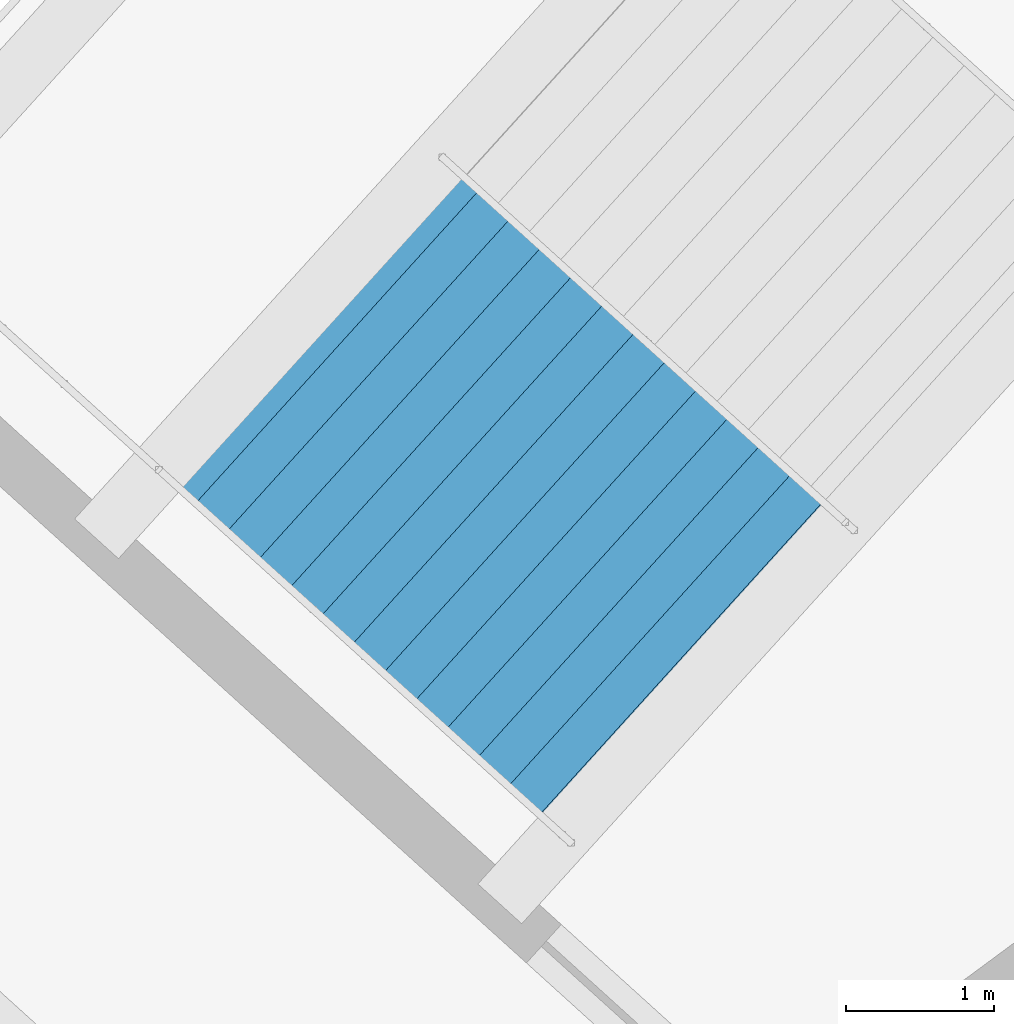
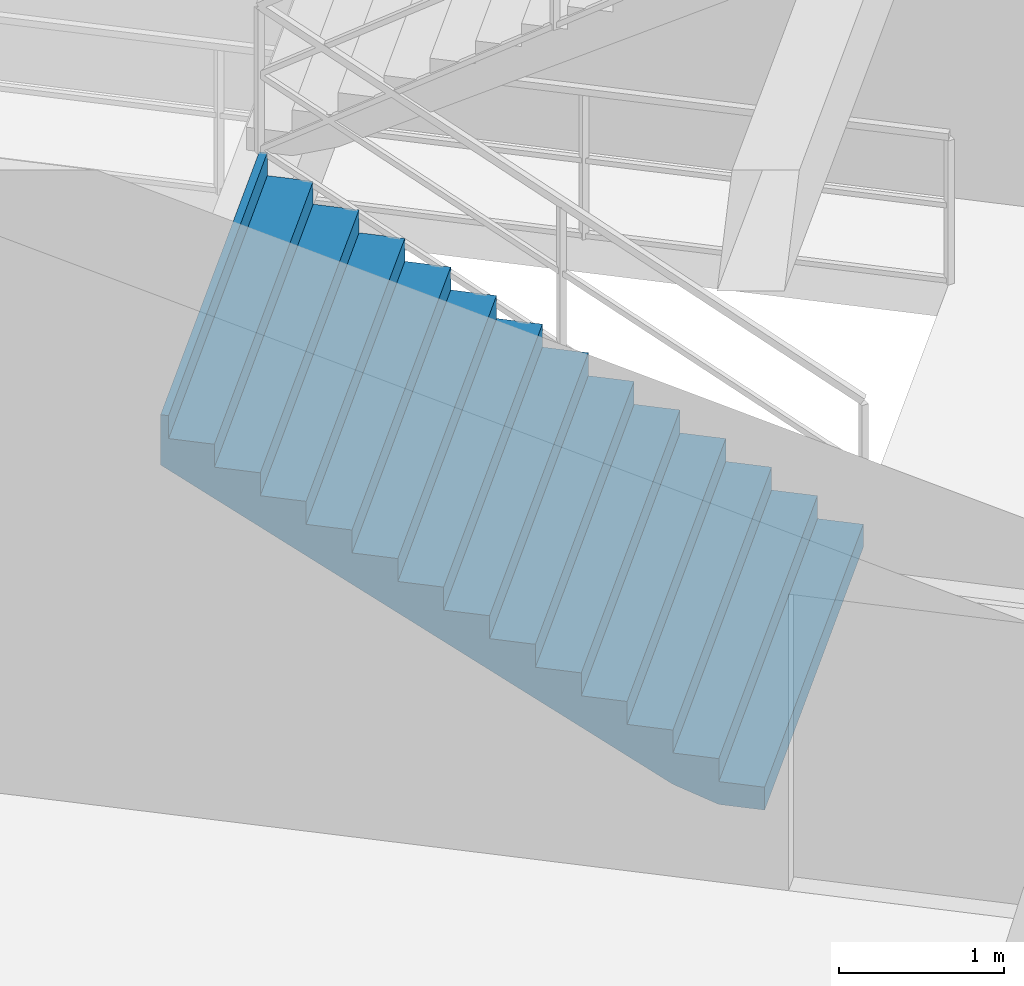
# One storey, part 160 of 171: 1 stair flight, 1 element without a shape of its own.
"""IFC4 building model written with IfcOpenShell, lengths in metres."""

from ifc_helpers import new_model, si_unit, direction, frame, origin, place, context, subcontext, project, spatial, polygons, material, type_object, element, aggregate, save


model = new_model("IFC4")

# Units and contexts
model_context = context("Model", 3, precision=1e-05, world=origin(), true_north=direction((0.0, 1.0)))
body_context = subcontext(model_context, "Body", "Model", "MODEL_VIEW")
ifc_project = project(units=[si_unit("LENGTHUNIT", "METRE"), si_unit("AREAUNIT", "SQUARE_METRE"), si_unit("VOLUMEUNIT", "CUBIC_METRE"), si_unit("PLANEANGLEUNIT", "RADIAN"), si_unit("MASSUNIT", "GRAM", prefix="KILO")], contexts=[model_context])

# Site, building, storey
site_placement = place(None, origin())
site = spatial("IfcSite", under=ifc_project, at=site_placement, CompositionType="ELEMENT")
building_placement = place(site_placement, origin())
building = spatial("IfcBuilding", under=site, at=building_placement, Name="Kazemori Nagisa Stadium", CompositionType="ELEMENT")
storey_placement = place(building_placement, frame((0.0, 0.0, 15.639892578125)))
storey = spatial("IfcBuildingStorey", under=building, at=storey_placement, Name="L03", CompositionType="ELEMENT", Elevation=15.639892578125)

# Stair, stair flight
ifc_material = material(Name="Concrete C36/45 (Fc36)", Category="concrete")
stair_type = type_object("IfcStairType", Name="Stair_CORE_28", PredefinedType="TWO_STRAIGHT_RUN_STAIR", material=ifc_material)
stair_placement = place(storey_placement, origin())
stair = element("IfcStair", 1, at=stair_placement, inside=storey, type_object=stair_type, Name="Exit stair ST01 L03", PredefinedType="TWO_STRAIGHT_RUN_STAIR")
stair_flight_type = type_object("IfcStairFlightType", Name="Flight_CORE_14", PredefinedType="STRAIGHT", material=ifc_material)
stair_flight_placement = place(storey_placement, frame((191.89208984375, 156.3369140625, 0.0), z_axis=(0.0, 0.0, 1.0), x_axis=(-0.741354671431, 0.67111344134, 0.0)))
stair_flight = element("IfcStairFlight", 2, at=stair_flight_placement, type_object=stair_flight_type, Name="Exit stair ST01 L03 flight 1", NumberOfRisers=14, NumberOfTreads=13, PredefinedType="STRAIGHT", RiserHeight=0.17, TreadLength=0.285, context=body_context, shape_type="Tessellation", body=[
    polygons([(0.0, -1.425048828125, 0.0), (0.0, -1.425048828125, 0.169921875), (0.284912109375, -1.425048828125, 0.169921875), (0.284912109375, -1.425048828125, 0.340087890625), (0.570068359375, -1.425048828125, 0.340087890625), (0.570068359375, -1.425048828125, 0.510009765625), (0.85498046875, -1.425048828125, 0.510009765625), (0.85498046875, -1.425048828125, 0.679931640625), (1.139892578125, -1.425048828125, 0.679931640625), (1.139892578125, -1.425048828125, 0.85009765625), (1.425048828125, -1.425048828125, 0.85009765625), (1.425048828125, -1.425048828125, 1.02001953125), (1.7099609375, -1.425048828125, 1.02001953125), (1.7099609375, -1.425048828125, 1.18994140625), (1.9951171875, -1.425048828125, 1.18994140625), (1.9951171875, -1.425048828125, 1.360107421875), (2.280029296875, -1.425048828125, 1.360107421875), (2.280029296875, -1.425048828125, 1.530029296875), (2.56494140625, -1.425048828125, 1.530029296875), (2.56494140625, -1.425048828125, 1.699951171875), (2.85009765625, -1.425048828125, 1.699951171875), (2.85009765625, -1.425048828125, 1.8701171875), (3.135009765625, -1.425048828125, 1.8701171875), (3.135009765625, -1.425048828125, 2.0400390625), (3.419921875, -1.425048828125, 2.0400390625), (3.419921875, -1.425048828125, 2.2099609375), (3.705078125, -1.425048828125, 2.2099609375), (3.705078125, -1.425048828125, 2.3798828125), (3.7548828125, -1.425048828125, 2.3798828125), (3.7548828125, -1.425048828125, 2.007080078125), (3.705078125, -1.425048828125, 1.977294921875), (3.419921875, -1.425048828125, 1.80712890625), (3.135009765625, -1.425048828125, 1.63720703125), (2.85009765625, -1.425048828125, 1.46728515625), (2.56494140625, -1.425048828125, 1.297119140625), (2.280029296875, -1.425048828125, 1.127197265625), (1.9951171875, -1.425048828125, 0.957275390625), (1.7099609375, -1.425048828125, 0.787109375), (1.425048828125, -1.425048828125, 0.6171875), (1.139892578125, -1.425048828125, 0.447265625), (0.85498046875, -1.425048828125, 0.277099609375), (0.570068359375, -1.425048828125, 0.107177734375), (0.284912109375, -1.425048828125, 0.0), (0.0, -0.08544921875, 0.0), (0.0, -0.08544921875, 0.169921875), (0.284912109375, -0.08544921875, 0.169921875), (0.284912109375, -0.08544921875, 0.340087890625), (0.570068359375, -0.08544921875, 0.340087890625), (0.570068359375, -0.08544921875, 0.510009765625), (0.85498046875, -0.08544921875, 0.510009765625), (0.85498046875, -0.08544921875, 0.679931640625), (1.139892578125, -0.08544921875, 0.679931640625), (1.139892578125, -0.08544921875, 0.85009765625), (1.425048828125, -0.08544921875, 0.85009765625), (1.425048828125, -0.08544921875, 1.02001953125), (1.7099609375, -0.08544921875, 1.02001953125), (1.7099609375, -0.08544921875, 1.18994140625), (1.9951171875, -0.08544921875, 1.18994140625), (1.9951171875, -0.08544921875, 1.360107421875), (2.280029296875, -0.08544921875, 1.360107421875), (2.280029296875, -0.08544921875, 1.530029296875), (2.56494140625, -0.08544921875, 1.530029296875), (2.56494140625, -0.08544921875, 1.699951171875), (2.85009765625, -0.08544921875, 1.699951171875), (2.85009765625, -0.08544921875, 1.8701171875), (3.135009765625, -0.08544921875, 1.8701171875), (3.135009765625, -0.08544921875, 2.0400390625), (3.419921875, -0.08544921875, 2.0400390625), (3.419921875, -0.08544921875, 2.2099609375), (3.705078125, -0.08544921875, 2.2099609375), (3.705078125, -0.08544921875, 2.3798828125), (3.7548828125, -0.08544921875, 2.3798828125), (3.7548828125, -0.08544921875, 2.007080078125), (3.705078125, -0.08544921875, 1.977294921875), (3.419921875, -0.08544921875, 1.80712890625), (3.135009765625, -0.08544921875, 1.63720703125), (2.85009765625, -0.08544921875, 1.46728515625), (2.56494140625, -0.08544921875, 1.297119140625), (2.280029296875, -0.08544921875, 1.127197265625), (1.9951171875, -0.08544921875, 0.957275390625), (1.7099609375, -0.08544921875, 0.787109375), (1.425048828125, -0.08544921875, 0.6171875), (1.139892578125, -0.08544921875, 0.447265625), (0.85498046875, -0.08544921875, 0.277099609375), (0.570068359375, -0.08544921875, 0.107177734375), (0.284912109375, -0.08544921875, 0.0), (0.0, 0.0, 0.0), (0.0, 0.0, 0.169921875), (0.284912109375, 0.0, 0.169921875), (0.284912109375, 0.0, 0.340087890625), (0.570068359375, 0.0, 0.340087890625), (0.570068359375, 0.0, 0.510009765625), (0.85498046875, 0.0, 0.510009765625), (0.85498046875, 0.0, 0.679931640625), (1.139892578125, 0.0, 0.679931640625), (1.139892578125, 0.0, 0.85009765625), (1.425048828125, 0.0, 0.85009765625), (1.425048828125, 0.0, 1.02001953125), (1.7099609375, 0.0, 1.02001953125), (1.7099609375, 0.0, 1.18994140625), (1.9951171875, 0.0, 1.18994140625), (1.9951171875, 0.0, 1.360107421875), (2.280029296875, 0.0, 1.360107421875), (2.280029296875, 0.0, 1.530029296875), (2.56494140625, 0.0, 1.530029296875), (2.56494140625, 0.0, 1.699951171875), (2.85009765625, 0.0, 1.699951171875), (2.85009765625, 0.0, 1.8701171875), (3.135009765625, 0.0, 1.8701171875), (3.135009765625, 0.0, 2.0400390625), (3.419921875, 0.0, 2.0400390625), (3.419921875, 0.0, 2.2099609375), (3.705078125, 0.0, 2.2099609375), (3.705078125, 0.0, 2.3798828125), (3.7548828125, 0.0, 2.3798828125), (3.7548828125, 0.0, 2.007080078125), (3.705078125, 0.0, 1.977294921875), (3.419921875, 0.0, 1.80712890625), (3.135009765625, 0.0, 1.63720703125), (2.85009765625, 0.0, 1.46728515625), (2.56494140625, 0.0, 1.297119140625), (2.280029296875, 0.0, 1.127197265625), (1.9951171875, 0.0, 0.957275390625), (1.7099609375, 0.0, 0.787109375), (1.425048828125, 0.0, 0.6171875), (1.139892578125, 0.0, 0.447265625), (0.85498046875, 0.0, 0.277099609375), (0.570068359375, 0.0, 0.107177734375), (0.284912109375, 0.0, 0.0), (0.0, 0.08544921875, 0.0), (0.0, 0.08544921875, 0.169921875), (0.284912109375, 0.08544921875, 0.169921875), (0.284912109375, 0.08544921875, 0.340087890625), (0.570068359375, 0.08544921875, 0.340087890625), (0.570068359375, 0.08544921875, 0.510009765625), (0.85498046875, 0.08544921875, 0.510009765625), (0.85498046875, 0.08544921875, 0.679931640625), (1.139892578125, 0.08544921875, 0.679931640625), (1.139892578125, 0.08544921875, 0.85009765625), (1.425048828125, 0.08544921875, 0.85009765625), (1.425048828125, 0.08544921875, 1.02001953125), (1.7099609375, 0.08544921875, 1.02001953125), (1.7099609375, 0.08544921875, 1.18994140625), (1.9951171875, 0.08544921875, 1.18994140625), (1.9951171875, 0.08544921875, 1.360107421875), (2.280029296875, 0.08544921875, 1.360107421875), (2.280029296875, 0.08544921875, 1.530029296875), (2.56494140625, 0.08544921875, 1.530029296875), (2.56494140625, 0.08544921875, 1.699951171875), (2.85009765625, 0.08544921875, 1.699951171875), (2.85009765625, 0.08544921875, 1.8701171875), (3.135009765625, 0.08544921875, 1.8701171875), (3.135009765625, 0.08544921875, 2.0400390625), (3.419921875, 0.08544921875, 2.0400390625), (3.419921875, 0.08544921875, 2.2099609375), (3.705078125, 0.08544921875, 2.2099609375), (3.705078125, 0.08544921875, 2.3798828125), (3.7548828125, 0.08544921875, 2.3798828125), (3.7548828125, 0.08544921875, 2.007080078125), (3.705078125, 0.08544921875, 1.977294921875), (3.419921875, 0.08544921875, 1.80712890625), (3.135009765625, 0.08544921875, 1.63720703125), (2.85009765625, 0.08544921875, 1.46728515625), (2.56494140625, 0.08544921875, 1.297119140625), (2.280029296875, 0.08544921875, 1.127197265625), (1.9951171875, 0.08544921875, 0.957275390625), (1.7099609375, 0.08544921875, 0.787109375), (1.425048828125, 0.08544921875, 0.6171875), (1.139892578125, 0.08544921875, 0.447265625), (0.85498046875, 0.08544921875, 0.277099609375), (0.570068359375, 0.08544921875, 0.107177734375), (0.284912109375, 0.08544921875, 0.0), (0.0, 1.425048828125, 0.0), (0.0, 1.425048828125, 0.169921875), (0.284912109375, 1.425048828125, 0.169921875), (0.284912109375, 1.425048828125, 0.340087890625), (0.570068359375, 1.425048828125, 0.340087890625), (0.570068359375, 1.425048828125, 0.510009765625), (0.85498046875, 1.425048828125, 0.510009765625), (0.85498046875, 1.425048828125, 0.679931640625), (1.139892578125, 1.425048828125, 0.679931640625), (1.139892578125, 1.425048828125, 0.85009765625), (1.425048828125, 1.425048828125, 0.85009765625), (1.425048828125, 1.425048828125, 1.02001953125), (1.7099609375, 1.425048828125, 1.02001953125), (1.7099609375, 1.425048828125, 1.18994140625), (1.9951171875, 1.425048828125, 1.18994140625), (1.9951171875, 1.425048828125, 1.360107421875), (2.280029296875, 1.425048828125, 1.360107421875), (2.280029296875, 1.425048828125, 1.530029296875), (2.56494140625, 1.425048828125, 1.530029296875), (2.56494140625, 1.425048828125, 1.699951171875), (2.85009765625, 1.425048828125, 1.699951171875), (2.85009765625, 1.425048828125, 1.8701171875), (3.135009765625, 1.425048828125, 1.8701171875), (3.135009765625, 1.425048828125, 2.0400390625), (3.419921875, 1.425048828125, 2.0400390625), (3.419921875, 1.425048828125, 2.2099609375), (3.705078125, 1.425048828125, 2.2099609375), (3.705078125, 1.425048828125, 2.3798828125), (3.7548828125, 1.425048828125, 2.3798828125), (3.7548828125, 1.425048828125, 2.007080078125), (3.705078125, 1.425048828125, 1.977294921875), (3.419921875, 1.425048828125, 1.80712890625), (3.135009765625, 1.425048828125, 1.63720703125), (2.85009765625, 1.425048828125, 1.46728515625), (2.56494140625, 1.425048828125, 1.297119140625), (2.280029296875, 1.425048828125, 1.127197265625), (1.9951171875, 1.425048828125, 0.957275390625), (1.7099609375, 1.425048828125, 0.787109375), (1.425048828125, 1.425048828125, 0.6171875), (1.139892578125, 1.425048828125, 0.447265625), (0.85498046875, 1.425048828125, 0.277099609375), (0.570068359375, 1.425048828125, 0.107177734375), (0.284912109375, 1.425048828125, 0.0)], [[[1, 2, 45]], [[1, 45, 44]], [[2, 3, 46]], [[2, 46, 45]], [[3, 4, 47]], [[3, 47, 46]], [[4, 5, 48]], [[4, 48, 47]], [[5, 6, 49]], [[5, 49, 48]], [[6, 7, 50]], [[6, 50, 49]], [[7, 8, 51]], [[7, 51, 50]], [[8, 9, 52]], [[8, 52, 51]], [[9, 10, 53]], [[9, 53, 52]], [[10, 11, 54]], [[10, 54, 53]], [[11, 12, 55]], [[11, 55, 54]], [[12, 13, 56]], [[12, 56, 55]], [[13, 14, 57]], [[13, 57, 56]], [[14, 15, 58]], [[14, 58, 57]], [[15, 16, 59]], [[15, 59, 58]], [[16, 17, 60]], [[16, 60, 59]], [[17, 18, 61]], [[17, 61, 60]], [[18, 19, 62]], [[18, 62, 61]], [[19, 20, 63]], [[19, 63, 62]], [[20, 21, 64]], [[20, 64, 63]], [[21, 22, 65]], [[21, 65, 64]], [[22, 23, 66]], [[22, 66, 65]], [[23, 24, 67]], [[23, 67, 66]], [[24, 25, 68]], [[24, 68, 67]], [[25, 26, 69]], [[25, 69, 68]], [[26, 27, 70]], [[26, 70, 69]], [[27, 28, 71]], [[27, 71, 70]], [[28, 29, 72]], [[28, 72, 71]], [[29, 30, 73]], [[29, 73, 72]], [[30, 31, 74]], [[30, 74, 73]], [[31, 32, 75]], [[31, 75, 74]], [[32, 33, 76]], [[32, 76, 75]], [[33, 34, 77]], [[33, 77, 76]], [[34, 35, 78]], [[34, 78, 77]], [[35, 36, 79]], [[35, 79, 78]], [[36, 37, 80]], [[36, 80, 79]], [[37, 38, 81]], [[37, 81, 80]], [[38, 39, 82]], [[38, 82, 81]], [[39, 40, 83]], [[39, 83, 82]], [[40, 41, 84]], [[40, 84, 83]], [[41, 42, 85]], [[41, 85, 84]], [[42, 43, 86]], [[42, 86, 85]], [[43, 1, 44]], [[43, 44, 86]], [[44, 45, 88]], [[44, 88, 87]], [[45, 46, 89]], [[45, 89, 88]], [[46, 47, 90]], [[46, 90, 89]], [[47, 48, 91]], [[47, 91, 90]], [[48, 49, 92]], [[48, 92, 91]], [[49, 50, 93]], [[49, 93, 92]], [[50, 51, 94]], [[50, 94, 93]], [[51, 52, 95]], [[51, 95, 94]], [[52, 53, 96]], [[52, 96, 95]], [[53, 54, 97]], [[53, 97, 96]], [[54, 55, 98]], [[54, 98, 97]], [[55, 56, 99]], [[55, 99, 98]], [[56, 57, 100]], [[56, 100, 99]], [[57, 58, 101]], [[57, 101, 100]], [[58, 59, 102]], [[58, 102, 101]], [[59, 60, 103]], [[59, 103, 102]], [[60, 61, 104]], [[60, 104, 103]], [[61, 62, 105]], [[61, 105, 104]], [[62, 63, 106]], [[62, 106, 105]], [[63, 64, 107]], [[63, 107, 106]], [[64, 65, 108]], [[64, 108, 107]], [[65, 66, 109]], [[65, 109, 108]], [[66, 67, 110]], [[66, 110, 109]], [[67, 68, 111]], [[67, 111, 110]], [[68, 69, 112]], [[68, 112, 111]], [[69, 70, 113]], [[69, 113, 112]], [[70, 71, 114]], [[70, 114, 113]], [[71, 72, 115]], [[71, 115, 114]], [[72, 73, 116]], [[72, 116, 115]], [[73, 74, 117]], [[73, 117, 116]], [[74, 75, 118]], [[74, 118, 117]], [[75, 76, 119]], [[75, 119, 118]], [[76, 77, 120]], [[76, 120, 119]], [[77, 78, 121]], [[77, 121, 120]], [[78, 79, 122]], [[78, 122, 121]], [[79, 80, 123]], [[79, 123, 122]], [[80, 81, 124]], [[80, 124, 123]], [[81, 82, 125]], [[81, 125, 124]], [[82, 83, 126]], [[82, 126, 125]], [[83, 84, 127]], [[83, 127, 126]], [[84, 85, 128]], [[84, 128, 127]], [[85, 86, 129]], [[85, 129, 128]], [[86, 44, 87]], [[86, 87, 129]], [[87, 88, 131]], [[87, 131, 130]], [[88, 89, 132]], [[88, 132, 131]], [[89, 90, 133]], [[89, 133, 132]], [[90, 91, 134]], [[90, 134, 133]], [[91, 92, 135]], [[91, 135, 134]], [[92, 93, 136]], [[92, 136, 135]], [[93, 94, 137]], [[93, 137, 136]], [[94, 95, 138]], [[94, 138, 137]], [[95, 96, 139]], [[95, 139, 138]], [[96, 97, 140]], [[96, 140, 139]], [[97, 98, 141]], [[97, 141, 140]], [[98, 99, 142]], [[98, 142, 141]], [[99, 100, 143]], [[99, 143, 142]], [[100, 101, 144]], [[100, 144, 143]], [[101, 102, 145]], [[101, 145, 144]], [[102, 103, 146]], [[102, 146, 145]], [[103, 104, 147]], [[103, 147, 146]], [[104, 105, 148]], [[104, 148, 147]], [[105, 106, 149]], [[105, 149, 148]], [[106, 107, 150]], [[106, 150, 149]], [[107, 108, 151]], [[107, 151, 150]], [[108, 109, 152]], [[108, 152, 151]], [[109, 110, 153]], [[109, 153, 152]], [[110, 111, 154]], [[110, 154, 153]], [[111, 112, 155]], [[111, 155, 154]], [[112, 113, 156]], [[112, 156, 155]], [[113, 114, 157]], [[113, 157, 156]], [[114, 115, 158]], [[114, 158, 157]], [[115, 116, 159]], [[115, 159, 158]], [[116, 117, 160]], [[116, 160, 159]], [[117, 118, 161]], [[117, 161, 160]], [[118, 119, 162]], [[118, 162, 161]], [[119, 120, 163]], [[119, 163, 162]], [[120, 121, 164]], [[120, 164, 163]], [[121, 122, 165]], [[121, 165, 164]], [[122, 123, 166]], [[122, 166, 165]], [[123, 124, 167]], [[123, 167, 166]], [[124, 125, 168]], [[124, 168, 167]], [[125, 126, 169]], [[125, 169, 168]], [[126, 127, 170]], [[126, 170, 169]], [[127, 128, 171]], [[127, 171, 170]], [[128, 129, 172]], [[128, 172, 171]], [[129, 87, 130]], [[129, 130, 172]], [[130, 131, 174]], [[130, 174, 173]], [[131, 132, 175]], [[131, 175, 174]], [[132, 133, 176]], [[132, 176, 175]], [[133, 134, 177]], [[133, 177, 176]], [[134, 135, 178]], [[134, 178, 177]], [[135, 136, 179]], [[135, 179, 178]], [[136, 137, 180]], [[136, 180, 179]], [[137, 138, 181]], [[137, 181, 180]], [[138, 139, 182]], [[138, 182, 181]], [[139, 140, 183]], [[139, 183, 182]], [[140, 141, 184]], [[140, 184, 183]], [[141, 142, 185]], [[141, 185, 184]], [[142, 143, 186]], [[142, 186, 185]], [[143, 144, 187]], [[143, 187, 186]], [[144, 145, 188]], [[144, 188, 187]], [[145, 146, 189]], [[145, 189, 188]], [[146, 147, 190]], [[146, 190, 189]], [[147, 148, 191]], [[147, 191, 190]], [[148, 149, 192]], [[148, 192, 191]], [[149, 150, 193]], [[149, 193, 192]], [[150, 151, 194]], [[150, 194, 193]], [[151, 152, 195]], [[151, 195, 194]], [[152, 153, 196]], [[152, 196, 195]], [[153, 154, 197]], [[153, 197, 196]], [[154, 155, 198]], [[154, 198, 197]], [[155, 156, 199]], [[155, 199, 198]], [[156, 157, 200]], [[156, 200, 199]], [[157, 158, 201]], [[157, 201, 200]], [[158, 159, 202]], [[158, 202, 201]], [[159, 160, 203]], [[159, 203, 202]], [[160, 161, 204]], [[160, 204, 203]], [[161, 162, 205]], [[161, 205, 204]], [[162, 163, 206]], [[162, 206, 205]], [[163, 164, 207]], [[163, 207, 206]], [[164, 165, 208]], [[164, 208, 207]], [[165, 166, 209]], [[165, 209, 208]], [[166, 167, 210]], [[166, 210, 209]], [[167, 168, 211]], [[167, 211, 210]], [[168, 169, 212]], [[168, 212, 211]], [[169, 170, 213]], [[169, 213, 212]], [[170, 171, 214]], [[170, 214, 213]], [[171, 172, 215]], [[171, 215, 214]], [[172, 130, 173]], [[172, 173, 215]], [[3, 2, 1]], [[173, 174, 175]], [[43, 3, 1]], [[173, 175, 215]], [[42, 3, 43]], [[215, 175, 214]], [[5, 3, 42]], [[214, 175, 177]], [[5, 4, 3]], [[175, 176, 177]], [[41, 5, 42]], [[214, 177, 213]], [[7, 5, 41]], [[213, 177, 179]], [[7, 6, 5]], [[177, 178, 179]], [[40, 7, 41]], [[213, 179, 212]], [[9, 7, 40]], [[212, 179, 181]], [[9, 8, 7]], [[179, 180, 181]], [[39, 9, 40]], [[212, 181, 211]], [[11, 9, 39]], [[211, 181, 183]], [[11, 10, 9]], [[181, 182, 183]], [[38, 11, 39]], [[211, 183, 210]], [[13, 11, 38]], [[210, 183, 185]], [[13, 12, 11]], [[183, 184, 185]], [[37, 13, 38]], [[210, 185, 209]], [[15, 13, 37]], [[209, 185, 187]], [[15, 14, 13]], [[185, 186, 187]], [[36, 15, 37]], [[209, 187, 208]], [[17, 15, 36]], [[208, 187, 189]], [[17, 16, 15]], [[187, 188, 189]], [[35, 17, 36]], [[208, 189, 207]], [[19, 17, 35]], [[207, 189, 191]], [[19, 18, 17]], [[189, 190, 191]], [[34, 19, 35]], [[207, 191, 206]], [[21, 19, 34]], [[206, 191, 193]], [[21, 20, 19]], [[191, 192, 193]], [[33, 21, 34]], [[206, 193, 205]], [[23, 21, 33]], [[205, 193, 195]], [[23, 22, 21]], [[193, 194, 195]], [[32, 23, 33]], [[205, 195, 204]], [[25, 23, 32]], [[204, 195, 197]], [[25, 24, 23]], [[195, 196, 197]], [[31, 25, 32]], [[204, 197, 203]], [[27, 25, 31]], [[203, 197, 199]], [[27, 26, 25]], [[197, 198, 199]], [[30, 27, 31]], [[203, 199, 202]], [[29, 27, 30]], [[202, 199, 201]], [[29, 28, 27]], [[199, 200, 201]]], closed=True),
])
aggregate(stair, [stair_flight])

save(model, "model.ifc")
